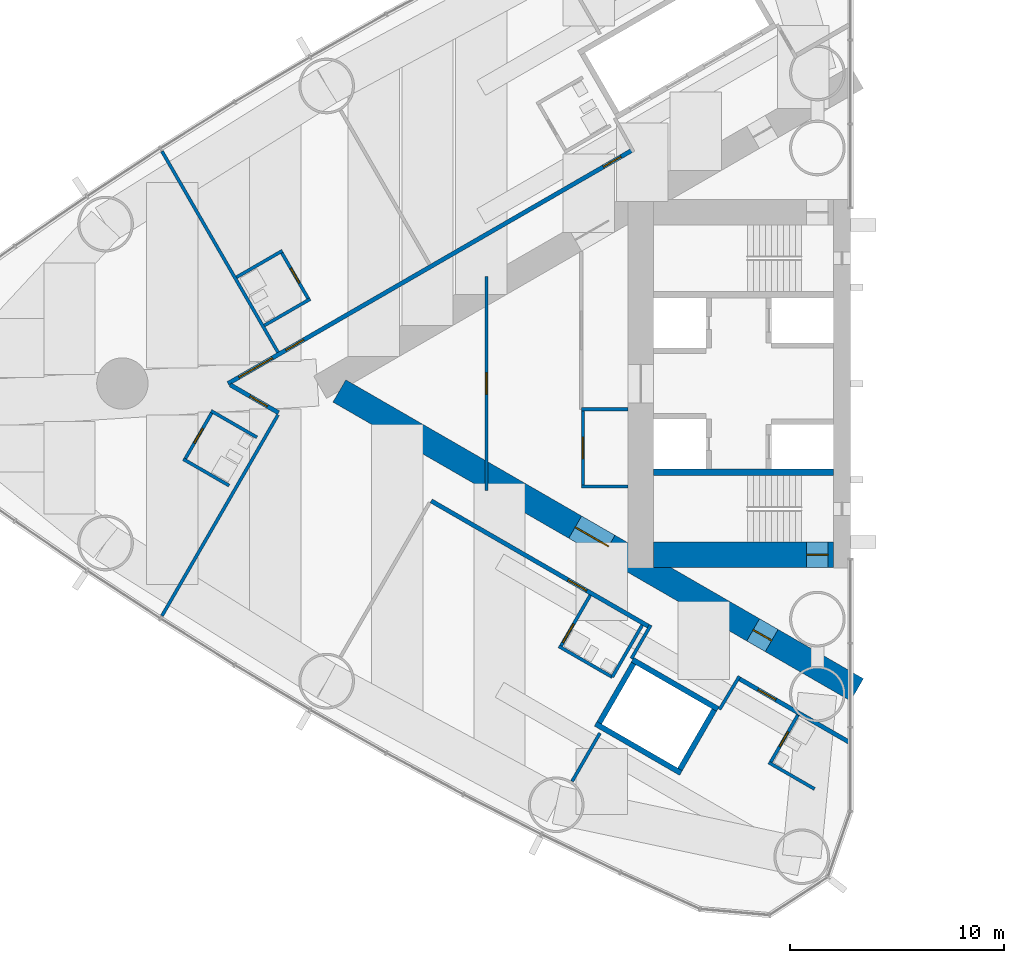
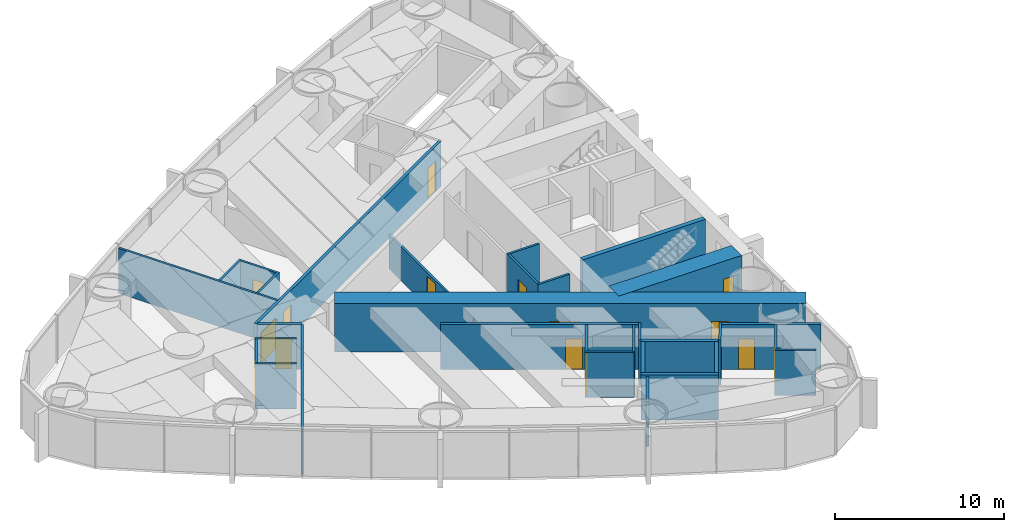
# One storey, part 11 of 19: 31 walls, 15 doors, 15 openings.
"""IFC4 building model written with IfcOpenShell, lengths in metres."""

from ifc_helpers import new_model, si_unit, direction, frame, frame_2d, origin, place, context, subcontext, project, spatial, rectangle, extrude, material, layer, layer_set, type_object, element, fill, save


model = new_model("IFC4")

# Units and contexts
model_context = context("Model", 3, precision=1e-05, world=origin(), true_north=direction((0.0, 1.0)))
body_context = subcontext(model_context, "Body", "Model", "MODEL_VIEW")
ifc_project = project(units=[si_unit("LENGTHUNIT", "METRE"), si_unit("AREAUNIT", "SQUARE_METRE"), si_unit("VOLUMEUNIT", "CUBIC_METRE"), si_unit("PLANEANGLEUNIT", "RADIAN"), si_unit("MASSUNIT", "GRAM", prefix="KILO")], contexts=[model_context])

# Site, building, storey
site_placement = place(None, origin())
site = spatial("IfcSite", under=ifc_project, at=site_placement, CompositionType="ELEMENT")
building_placement = place(site_placement, origin())
building = spatial("IfcBuilding", under=site, at=building_placement, Name="Lancet Gate Hotel", CompositionType="ELEMENT")
storey_placement = place(building_placement, frame((0.0, 0.0, 132.60009765625)))
storey = spatial("IfcBuildingStorey", under=building, at=storey_placement, Name="L35", CompositionType="ELEMENT", Elevation=132.60009765625)

# Wall
ifc_material_1 = material(Name="Moisture resistant board partition")
ifc_layer_1 = layer(ifc_material_1, 0.14990234375)
ifc_layer_set_1 = layer_set([ifc_layer_1], Name="Bathroom wall 150")
wall_type_1 = type_object("IfcWallType", Name="Bathroom wall 150", PredefinedType="PARTITIONING", material=ifc_layer_set_1)
wall_1_placement = place(storey_placement, frame((-54.02734375, 6.201416015625, 0.0), z_axis=(0.0, 0.0, 1.0), x_axis=(-0.866006523861, -0.500032699561, 0.0)))
element("IfcWall", 1, at=wall_1_placement, inside=storey, type_object=wall_type_1, Name="T1 bathroom wall 150 L35", PredefinedType="PARTITIONING", context=body_context, shape_type="SweptSolid", body=[
    extrude(rectangle(XDim=2.474853515625, YDim=0.14990234375, at=frame_2d((1.2373046875, 0.0))), origin(), (0.0, 0.0, 1.0), 3.25),
])

# Wall, opening, door
wall_2_placement = place(storey_placement, frame((-52.792236328125, 3.912109375, 0.0), z_axis=(0.0, 0.0, 1.0), x_axis=(-0.500006934395, 0.866021400173, 0.0)))
wall_2 = element("IfcWall", 2, at=wall_2_placement, inside=storey, type_object=wall_type_1, Name="T1 bathroom wall 150 L35", PredefinedType="PARTITIONING", context=body_context, shape_type="SweptSolid", body=[
    extrude(rectangle(XDim=2.60009765625, YDim=0.14990234375, at=frame_2d((1.300048828125, 0.0))), origin(), (0.0, 0.0, 1.0), 3.25),
])
opening_1_placement = place(wall_2_placement, frame((0.89990234375, 0.0, 0.0)))
opening_1 = element("IfcOpeningElement", 3, at=opening_1_placement, cuts=wall_2, Name="Opening 3503-B", PredefinedType="OPENING", context=body_context, shape_type="SweptSolid", body=[
    extrude(rectangle(XDim=0.800048828125, YDim=2.199951171875, at=frame_2d((0.39990234375, 1.10009765625))), frame((0.0, 0.0849609375, 0.0), z_axis=(0.0, -1.0, 0.0), x_axis=(1.0, 0.0, 0.0)), (0.0, 0.0, 1.0), 0.169921875),
])
ifc_material_2 = material(Name="Timber door set", Category="wood")
door_type_1 = type_object("IfcDoorType", Name="Bathroom door 800", OperationType="SINGLE_SWING_RIGHT", PredefinedType="DOOR", material=ifc_material_2)
door_1_placement = place(opening_1_placement, origin())
door_1 = element("IfcDoor", 4, at=door_1_placement, inside=storey, type_object=door_type_1, Name="3503-B", OperationType="SINGLE_SWING_RIGHT", OverallHeight=2.199951171875, OverallWidth=0.800048828125, PredefinedType="DOOR", context=body_context, shape_type="SweptSolid", body=[
    extrude(rectangle(XDim=0.800048828125, YDim=2.199951171875, at=frame_2d((0.39990234375, 1.10009765625))), frame((0.0, 0.02490234375, 0.0), z_axis=(0.0, -1.0, 0.0), x_axis=(1.0, 0.0, 0.0)), (0.0, 0.0, 1.0), 0.050048828125),
])
fill(opening_1, door_1)

# Walls
wall_3_placement = place(storey_placement, frame((-52.727294921875, 3.94970703125, 0.0), z_axis=(0.0, 0.0, 1.0), x_axis=(-0.866006523861, -0.500032699561, 0.0)))
element("IfcWall", 5, at=wall_3_placement, inside=storey, type_object=wall_type_1, Name="T1 bathroom wall 150 L35", PredefinedType="PARTITIONING", context=body_context, shape_type="SweptSolid", body=[
    extrude(rectangle(XDim=2.474853515625, YDim=0.14990234375, at=frame_2d((1.2373046875, 0.0))), origin(), (0.0, 0.0, 1.0), 3.25),
])
wall_4_placement = place(storey_placement, frame((-56.51708984375, -4.763916015625, 0.0), z_axis=(0.0, 0.0, 1.0), x_axis=(-0.866031185235, 0.4999899861, 0.0)))
element("IfcWall", 6, at=wall_4_placement, inside=storey, type_object=wall_type_1, Name="T1 bathroom wall 150 L35", PredefinedType="PARTITIONING", context=body_context, shape_type="SweptSolid", body=[
    extrude(rectangle(XDim=2.47509765625, YDim=0.14990234375, at=frame_2d((1.237548828125, 0.0))), origin(), (0.0, 0.0, 1.0), 3.25),
])

# Wall, opening, door
wall_5_placement = place(storey_placement, frame((-57.295654296875, -1.312255859375, 0.0), z_axis=(0.0, 0.0, 1.0), x_axis=(-0.49997716683, -0.86603858612, 0.0)))
wall_5 = element("IfcWall", 7, at=wall_5_placement, inside=storey, type_object=wall_type_1, Name="T1 bathroom wall 150 L35", PredefinedType="PARTITIONING", context=body_context, shape_type="SweptSolid", body=[
    extrude(rectangle(XDim=2.599609375, YDim=0.14990234375, at=frame_2d((1.2998046875, 0.0))), origin(), (0.0, 0.0, 1.0), 3.25),
])
opening_2_placement = place(wall_5_placement, frame((0.89990234375, 0.0, 0.0)))
opening_2 = element("IfcOpeningElement", 8, at=opening_2_placement, cuts=wall_5, Name="Opening 3505-B", PredefinedType="OPENING", context=body_context, shape_type="SweptSolid", body=[
    extrude(rectangle(XDim=0.800048828125, YDim=2.199951171875, at=frame_2d((0.39990234375, 1.10009765625))), frame((0.0, 0.0849609375, 0.0), z_axis=(0.0, -1.0, 0.0), x_axis=(1.0, 0.0, 0.0)), (0.0, 0.0, 1.0), 0.169921875),
])
door_2_placement = place(opening_2_placement, origin())
door_2 = element("IfcDoor", 9, at=door_2_placement, inside=storey, type_object=door_type_1, Name="3505-B", OperationType="SINGLE_SWING_RIGHT", OverallHeight=2.199951171875, OverallWidth=0.800048828125, PredefinedType="DOOR", context=body_context, shape_type="SweptSolid", body=[
    extrude(rectangle(XDim=0.800048828125, YDim=2.199951171875, at=frame_2d((0.39990234375, 1.10009765625))), frame((0.0, 0.02490234375, 0.0), z_axis=(0.0, -1.0, 0.0), x_axis=(1.0, 0.0, 0.0)), (0.0, 0.0, 1.0), 0.050048828125),
])
fill(opening_2, door_2)

# Walls
wall_6_placement = place(storey_placement, frame((-55.217041015625, -2.51220703125, 0.0), z_axis=(0.0, 0.0, 1.0), x_axis=(-0.866031185235, 0.4999899861, 0.0)))
element("IfcWall", 10, at=wall_6_placement, inside=storey, type_object=wall_type_1, Name="T1 bathroom wall 150 L35", PredefinedType="PARTITIONING", context=body_context, shape_type="SweptSolid", body=[
    extrude(rectangle(XDim=2.47509765625, YDim=0.14990234375, at=frame_2d((1.237548828125, 0.0))), origin(), (0.0, 0.0, 1.0), 3.25),
])
wall_7_placement = place(storey_placement, frame((-38.630126953125, -13.705322265625, 0.0), z_axis=(0.0, 0.0, 1.0), x_axis=(-0.866018712932, 0.500011588718, 0.0)))
element("IfcWall", 11, at=wall_7_placement, inside=storey, type_object=wall_type_1, Name="T1 bathroom wall 150 L35", PredefinedType="PARTITIONING", context=body_context, shape_type="SweptSolid", body=[
    extrude(rectangle(XDim=2.875, YDim=0.14990234375, at=frame_2d((1.4375, 0.0))), origin(), (0.0, 0.0, 1.0), 3.25),
])

# Wall, opening, door
wall_8_placement = place(storey_placement, frame((-39.65478515625, -9.88037109375, 0.0), z_axis=(0.0, 0.0, 1.0), x_axis=(-0.500049511043, -0.865996816683, 0.0)))
wall_8 = element("IfcWall", 12, at=wall_8_placement, inside=storey, type_object=wall_type_1, Name="T1 bathroom wall 150 L35", PredefinedType="PARTITIONING", context=body_context, shape_type="SweptSolid", body=[
    extrude(rectangle(XDim=2.800048828125, YDim=0.14990234375, at=frame_2d((1.39990234375, 0.0))), origin(), (0.0, 0.0, 1.0), 3.25),
])
opening_3_placement = place(wall_8_placement, frame((1.550048828125, 0.0, 0.0)))
opening_3 = element("IfcOpeningElement", 13, at=opening_3_placement, cuts=wall_8, Name="Opening 3507-B", PredefinedType="OPENING", context=body_context, shape_type="SweptSolid", body=[
    extrude(rectangle(XDim=1.0, YDim=2.199951171875, at=frame_2d((0.5, 1.10009765625))), frame((0.0, 0.0849609375, 0.0), z_axis=(0.0, -1.0, 0.0), x_axis=(1.0, 0.0, 0.0)), (0.0, 0.0, 1.0), 0.169921875),
])
ifc_material_3 = material(Name="Timber door set", Category="wood")
door_type_2 = type_object("IfcDoorType", Name="Accessible en-suite door 1000", OperationType="SINGLE_SWING_RIGHT", PredefinedType="DOOR", material=ifc_material_3)
door_3_placement = place(opening_3_placement, origin())
door_3 = element("IfcDoor", 14, at=door_3_placement, inside=storey, type_object=door_type_2, Name="3507-B", OperationType="SINGLE_SWING_RIGHT", OverallHeight=2.199951171875, OverallWidth=1.0, PredefinedType="DOOR", context=body_context, shape_type="SweptSolid", body=[
    extrude(rectangle(XDim=1.0, YDim=2.199951171875, at=frame_2d((0.5, 1.10009765625))), frame((0.0, 0.02490234375, 0.0), z_axis=(0.0, -1.0, 0.0), x_axis=(1.0, 0.0, 0.0)), (0.0, 0.0, 1.0), 0.050048828125),
])
fill(opening_3, door_3)

# Walls
wall_9_placement = place(storey_placement, frame((-37.22998046875, -11.280517578125, 0.0), z_axis=(0.0, 0.0, 1.0), x_axis=(-0.500049511043, -0.865996816683, 0.0)))
element("IfcWall", 15, at=wall_9_placement, inside=storey, type_object=wall_type_1, Name="T1 bathroom wall 150 L35", PredefinedType="PARTITIONING", context=body_context, shape_type="SweptSolid", body=[
    extrude(rectangle(XDim=2.800048828125, YDim=0.14990234375, at=frame_2d((1.39990234375, 0.0))), origin(), (0.0, 0.0, 1.0), 3.25),
])
wall_10_placement = place(storey_placement, frame((-29.181884765625, -18.92919921875, 0.0), z_axis=(0.0, 0.0, 1.0), x_axis=(-0.866006523861, 0.500032699561, 0.0)))
element("IfcWall", 16, at=wall_10_placement, inside=storey, type_object=wall_type_1, Name="T1 bathroom wall 150 L35", PredefinedType="PARTITIONING", context=body_context, shape_type="SweptSolid", body=[
    extrude(rectangle(XDim=2.474853515625, YDim=0.14990234375, at=frame_2d((1.2373046875, 0.0))), origin(), (0.0, 0.0, 1.0), 3.25),
])

# Wall, opening, door
wall_11_placement = place(storey_placement, frame((-29.960205078125, -15.4775390625, 0.0), z_axis=(0.0, 0.0, 1.0), x_axis=(-0.500006934395, -0.866021400173, 0.0)))
wall_11 = element("IfcWall", 17, at=wall_11_placement, inside=storey, type_object=wall_type_1, Name="T1 bathroom wall 150 L35", PredefinedType="PARTITIONING", context=body_context, shape_type="SweptSolid", body=[
    extrude(rectangle(XDim=2.60009765625, YDim=0.14990234375, at=frame_2d((1.300048828125, 0.0))), origin(), (0.0, 0.0, 1.0), 3.25),
])
opening_4_placement = place(wall_11_placement, frame((0.89990234375, 0.0, 0.0)))
opening_4 = element("IfcOpeningElement", 18, at=opening_4_placement, cuts=wall_11, Name="Opening 3508-B", PredefinedType="OPENING", context=body_context, shape_type="SweptSolid", body=[
    extrude(rectangle(XDim=0.800048828125, YDim=2.199951171875, at=frame_2d((0.39990234375, 1.10009765625))), frame((0.0, 0.0849609375, 0.0), z_axis=(0.0, -1.0, 0.0), x_axis=(1.0, 0.0, 0.0)), (0.0, 0.0, 1.0), 0.169921875),
])
door_4_placement = place(opening_4_placement, origin())
door_4 = element("IfcDoor", 19, at=door_4_placement, inside=storey, type_object=door_type_1, Name="3508-B", OperationType="SINGLE_SWING_RIGHT", OverallHeight=2.199951171875, OverallWidth=0.800048828125, PredefinedType="DOOR", context=body_context, shape_type="SweptSolid", body=[
    extrude(rectangle(XDim=0.800048828125, YDim=2.199951171875, at=frame_2d((0.39990234375, 1.10009765625))), frame((0.0, 0.02490234375, 0.0), z_axis=(0.0, -1.0, 0.0), x_axis=(1.0, 0.0, 0.0)), (0.0, 0.0, 1.0), 0.050048828125),
])
fill(opening_4, door_4)

# Wall, openings, doors
ifc_material_4 = material(Name="Concrete C70/85", Category="concrete")
ifc_layer_2 = layer(ifc_material_4, 1.199951171875)
ifc_layer_set_2 = layer_set([ifc_layer_2], Name="Buttress wall 1200")
wall_type_2 = type_object("IfcWallType", Name="Buttress wall 1200", PredefinedType="SHEAR", material=ifc_layer_set_2)
wall_12_placement = place(storey_placement, frame((-27.199951171875, -14.300048828125, 0.0), z_axis=(0.0, 0.0, 1.0), x_axis=(-0.866024021859, 0.500002393557, 0.0)))
wall_12 = element("IfcWall", 20, at=wall_12_placement, inside=storey, type_object=wall_type_2, Name="T1 buttress wall N L35", PredefinedType="SHEAR", context=body_context, shape_type="SweptSolid", body=[
    extrude(rectangle(XDim=27.906982421875, YDim=1.199951171875, at=frame_2d((13.95361328125, 0.0))), origin(), (0.0, 0.0, 1.0), 3.5),
])
opening_5_placement = place(wall_12_placement, frame((4.60009765625, 0.0, 0.0)))
opening_5 = element("IfcOpeningElement", 21, at=opening_5_placement, cuts=wall_12, Name="Opening T1-L35-LN", PredefinedType="OPENING", context=body_context, shape_type="SweptSolid", body=[
    extrude(rectangle(XDim=1.0, YDim=2.199951171875, at=frame_2d((0.5, 1.10009765625))), frame((0.0, 0.60986328125, 0.0), z_axis=(0.0, -1.0, 0.0), x_axis=(1.0, 0.0, 0.0)), (0.0, 0.0, 1.0), 1.219970703125),
])
opening_6_placement = place(wall_12_placement, frame((13.39453125, 0.0, 0.0)))
opening_6 = element("IfcOpeningElement", 22, at=opening_6_placement, cuts=wall_12, Name="Opening T1-L35-LHN", PredefinedType="OPENING", context=body_context, shape_type="SweptSolid", body=[
    extrude(rectangle(XDim=1.800048828125, YDim=2.199951171875, at=frame_2d((0.89990234375, 1.10009765625))), frame((0.0, 0.60986328125, 0.0), z_axis=(0.0, -1.0, 0.0), x_axis=(1.0, 0.0, 0.0)), (0.0, 0.0, 1.0), 1.219970703125),
])
ifc_material_5 = material(Name="Timber door set", Category="wood")
door_type_3 = type_object("IfcDoorType", Name="Lobby double door 1800", OperationType="DOUBLE_DOOR_SINGLE_SWING", PredefinedType="DOOR", material=ifc_material_5)
door_5_placement = place(opening_6_placement, origin())
door_5 = element("IfcDoor", 23, at=door_5_placement, inside=storey, type_object=door_type_3, Name="T1-L35-LHN", OperationType="DOUBLE_DOOR_SINGLE_SWING", OverallHeight=2.199951171875, OverallWidth=1.800048828125, PredefinedType="DOOR", context=body_context, shape_type="SweptSolid", body=[
    extrude(rectangle(XDim=1.800048828125, YDim=2.199951171875, at=frame_2d((0.89990234375, 1.10009765625))), frame((0.0, 0.02490234375, 0.0), z_axis=(0.0, -1.0, 0.0), x_axis=(1.0, 0.0, 0.0)), (0.0, 0.0, 1.0), 0.050048828125),
])
fill(opening_6, door_5)
ifc_material_6 = material(Name="Timber door set", Category="wood")
door_type_4 = type_object("IfcDoorType", Name="Stair lobby door 1000", OperationType="SINGLE_SWING_LEFT", PredefinedType="DOOR", material=ifc_material_6)
door_6_placement = place(opening_5_placement, origin())
door_6 = element("IfcDoor", 24, at=door_6_placement, inside=storey, type_object=door_type_4, Name="T1-L35-LN", OperationType="SINGLE_SWING_LEFT", OverallHeight=2.199951171875, OverallWidth=1.0, PredefinedType="DOOR", context=body_context, shape_type="SweptSolid", body=[
    extrude(rectangle(XDim=1.0, YDim=2.199951171875, at=frame_2d((0.5, 1.10009765625))), frame((0.0, 0.02490234375, 0.0), z_axis=(0.0, -1.0, 0.0), x_axis=(1.0, 0.0, 0.0)), (0.0, 0.0, 1.0), 0.050048828125),
])
fill(opening_5, door_6)

# Wall, opening, door
ifc_material_7 = material(Name="Concrete C70/85", Category="concrete")
ifc_layer_3 = layer(ifc_material_7, 1.199951171875)
ifc_layer_set_3 = layer_set([ifc_layer_3], Name="Core wall 1200")
wall_type_3 = type_object("IfcWallType", Name="Core wall 1200", PredefinedType="SHEAR", material=ifc_layer_set_3)
wall_13_placement = place(storey_placement, frame((-28.300048828125, -8.0, 0.0), z_axis=(0.0, 0.0, 1.0), x_axis=(-1.0, 0.0, 0.0)))
wall_13 = element("IfcWall", 25, at=wall_13_placement, inside=storey, type_object=wall_type_3, Name="T1 core wall side-N L35", PredefinedType="SHEAR", context=body_context, shape_type="SweptSolid", body=[
    extrude(rectangle(XDim=8.39990234375, YDim=1.199951171875, at=frame_2d((4.199951171875, 0.0))), origin(), (0.0, 0.0, 1.0), 3.5),
])
opening_7_placement = place(wall_13_placement, frame((0.25, 0.0, 0.0)))
opening_7 = element("IfcOpeningElement", 26, at=opening_7_placement, cuts=wall_13, Name="Opening T1-L35-ST2", PredefinedType="OPENING", context=body_context, shape_type="SweptSolid", body=[
    extrude(rectangle(XDim=1.0, YDim=2.199951171875, at=frame_2d((0.5, 1.10009765625))), frame((0.0, 0.60986328125, 0.0), z_axis=(0.0, -1.0, 0.0), x_axis=(1.0, 0.0, 0.0)), (0.0, 0.0, 1.0), 1.219970703125),
])
ifc_material_8 = material(Name="Timber door set", Category="wood")
door_type_5 = type_object("IfcDoorType", Name="Stair door 1000", OperationType="SINGLE_SWING_RIGHT", PredefinedType="DOOR", material=ifc_material_8)
door_7_placement = place(opening_7_placement, origin())
door_7 = element("IfcDoor", 27, at=door_7_placement, inside=storey, type_object=door_type_5, Name="T1-L35-ST2", OperationType="SINGLE_SWING_RIGHT", OverallHeight=2.199951171875, OverallWidth=1.0, PredefinedType="DOOR", context=body_context, shape_type="SweptSolid", body=[
    extrude(rectangle(XDim=1.0, YDim=2.199951171875, at=frame_2d((0.5, 1.10009765625))), frame((0.0, 0.02490234375, 0.0), z_axis=(0.0, -1.0, 0.0), x_axis=(1.0, 0.0, 0.0)), (0.0, 0.0, 1.0), 0.050048828125),
])
fill(opening_7, door_7)

# Wall, openings, doors
ifc_material_9 = material(Name="Gypsum board partition")
ifc_layer_4 = layer(ifc_material_9, 0.199951171875)
ifc_layer_set_4 = layer_set([ifc_layer_4], Name="Corridor wall 200")
wall_type_4 = type_object("IfcWallType", Name="Corridor wall 200", PredefinedType="PARTITIONING", material=ifc_layer_set_4)
wall_14_placement = place(storey_placement, frame((-37.699951171875, 10.8935546875, 0.0), z_axis=(0.0, 0.0, 1.0), x_axis=(-0.866027905338, -0.499995667157, 0.0)))
wall_14 = element("IfcWall", 28, at=wall_14_placement, inside=storey, type_object=wall_type_4, Name="T1 corridor wall 200 L35", PredefinedType="PARTITIONING", context=body_context, shape_type="SweptSolid", body=[
    extrude(rectangle(XDim=21.787353515625, YDim=0.199951171875, at=frame_2d((10.8935546875, 0.0))), origin(), (0.0, 0.0, 1.0), 3.25),
])
opening_8_placement = place(wall_14_placement, frame((17.7109375, 0.0, 0.0)))
opening_8 = element("IfcOpeningElement", 29, at=opening_8_placement, cuts=wall_14, Name="Opening 3503-E", PredefinedType="OPENING", context=body_context, shape_type="SweptSolid", body=[
    extrude(rectangle(XDim=0.949951171875, YDim=2.199951171875, at=frame_2d((0.47509765625, 1.10009765625))), frame((0.0, 0.10986328125, 0.0), z_axis=(0.0, -1.0, 0.0), x_axis=(1.0, 0.0, 0.0)), (0.0, 0.0, 1.0), 0.219970703125),
])
opening_9_placement = place(wall_14_placement, frame((19.39892578125, 0.0, 0.0)))
opening_9 = element("IfcOpeningElement", 30, at=opening_9_placement, cuts=wall_14, Name="Opening 3504-E", PredefinedType="OPENING", context=body_context, shape_type="SweptSolid", body=[
    extrude(rectangle(XDim=1.800048828125, YDim=2.199951171875, at=frame_2d((0.89990234375, 1.10009765625))), frame((0.0, 0.10986328125, 0.0), z_axis=(0.0, -1.0, 0.0), x_axis=(1.0, 0.0, 0.0)), (0.0, 0.0, 1.0), 0.219970703125),
])
opening_10_placement = place(wall_14_placement, frame((0.60009765625, 0.0, 0.0)))
opening_10 = element("IfcOpeningElement", 31, at=opening_10_placement, cuts=wall_14, Name="Opening 3502-E", PredefinedType="OPENING", context=body_context, shape_type="SweptSolid", body=[
    extrude(rectangle(XDim=0.949951171875, YDim=2.199951171875, at=frame_2d((0.47509765625, 1.10009765625))), frame((0.0, 0.10986328125, 0.0), z_axis=(0.0, -1.0, 0.0), x_axis=(1.0, 0.0, 0.0)), (0.0, 0.0, 1.0), 0.219970703125),
])
ifc_material_10 = material(Name="Timber door set", Category="wood")
door_type_6 = type_object("IfcDoorType", Name="Double door 1800", OperationType="DOUBLE_DOOR_SINGLE_SWING", PredefinedType="DOOR", material=ifc_material_10)
door_8_placement = place(opening_9_placement, origin())
door_8 = element("IfcDoor", 32, at=door_8_placement, inside=storey, type_object=door_type_6, Name="3504-E", OperationType="DOUBLE_DOOR_SINGLE_SWING", OverallHeight=2.199951171875, OverallWidth=1.800048828125, PredefinedType="DOOR", context=body_context, shape_type="SweptSolid", body=[
    extrude(rectangle(XDim=1.800048828125, YDim=2.199951171875, at=frame_2d((0.89990234375, 1.10009765625))), frame((0.0, 0.02490234375, 0.0), z_axis=(0.0, -1.0, 0.0), x_axis=(1.0, 0.0, 0.0)), (0.0, 0.0, 1.0), 0.050048828125),
])
fill(opening_9, door_8)
ifc_material_11 = material(Name="Timber door set", Category="wood")
door_type_7 = type_object("IfcDoorType", Name="Guest room entry door 950", OperationType="SINGLE_SWING_LEFT", PredefinedType="DOOR", material=ifc_material_11)
door_9_placement = place(opening_8_placement, origin())
door_9 = element("IfcDoor", 33, at=door_9_placement, inside=storey, type_object=door_type_7, Name="3503-E", OperationType="SINGLE_SWING_LEFT", OverallHeight=2.199951171875, OverallWidth=0.949951171875, PredefinedType="DOOR", context=body_context, shape_type="SweptSolid", body=[
    extrude(rectangle(XDim=0.949951171875, YDim=2.199951171875, at=frame_2d((0.47509765625, 1.10009765625))), frame((0.0, 0.02490234375, 0.0), z_axis=(0.0, -1.0, 0.0), x_axis=(1.0, 0.0, 0.0)), (0.0, 0.0, 1.0), 0.050048828125),
])
fill(opening_8, door_9)
door_10_placement = place(opening_10_placement, origin())
door_10 = element("IfcDoor", 34, at=door_10_placement, inside=storey, type_object=door_type_7, Name="3502-E", OperationType="SINGLE_SWING_LEFT", OverallHeight=2.199951171875, OverallWidth=0.949951171875, PredefinedType="DOOR", context=body_context, shape_type="SweptSolid", body=[
    extrude(rectangle(XDim=0.949951171875, YDim=2.199951171875, at=frame_2d((0.47509765625, 1.10009765625))), frame((0.0, 0.02490234375, 0.0), z_axis=(0.0, -1.0, 0.0), x_axis=(1.0, 0.0, 0.0)), (0.0, 0.0, 1.0), 0.050048828125),
])
fill(opening_10, door_10)

# Wall, opening, door
wall_15_placement = place(storey_placement, frame((-27.572021484375, -16.740966796875, 0.0), z_axis=(0.0, 0.0, 1.0), x_axis=(-0.866024464444, 0.500001626982, 0.0)))
wall_15 = element("IfcWall", 35, at=wall_15_placement, inside=storey, type_object=wall_type_4, Name="T1 corridor wall 200 L35", PredefinedType="PARTITIONING", context=body_context, shape_type="SweptSolid", body=[
    extrude(rectangle(XDim=5.955078125, YDim=0.199951171875, at=frame_2d((2.9775390625, 0.0))), origin(), (0.0, 0.0, 1.0), 3.25),
])
opening_11_placement = place(wall_15_placement, frame((3.949951171875, 0.0, 0.0)))
opening_11 = element("IfcOpeningElement", 36, at=opening_11_placement, cuts=wall_15, Name="Opening 3508-E", PredefinedType="OPENING", context=body_context, shape_type="SweptSolid", body=[
    extrude(rectangle(XDim=0.949951171875, YDim=2.199951171875, at=frame_2d((0.47509765625, 1.10009765625))), frame((0.0, 0.10986328125, 0.0), z_axis=(0.0, -1.0, 0.0), x_axis=(1.0, 0.0, 0.0)), (0.0, 0.0, 1.0), 0.219970703125),
])
door_11_placement = place(opening_11_placement, origin())
door_11 = element("IfcDoor", 37, at=door_11_placement, inside=storey, type_object=door_type_7, Name="3508-E", OperationType="SINGLE_SWING_LEFT", OverallHeight=2.199951171875, OverallWidth=0.949951171875, PredefinedType="DOOR", context=body_context, shape_type="SweptSolid", body=[
    extrude(rectangle(XDim=0.949951171875, YDim=2.199951171875, at=frame_2d((0.47509765625, 1.10009765625))), frame((0.0, 0.02490234375, 0.0), z_axis=(0.0, -1.0, 0.0), x_axis=(1.0, 0.0, 0.0)), (0.0, 0.0, 1.0), 0.050048828125),
])
fill(opening_11, door_11)

wall_16_placement = place(storey_placement, frame((-36.920166015625, -11.34375, 0.0), z_axis=(0.0, 0.0, 1.0), x_axis=(-0.866027897759, 0.499995680284, 0.0)))
wall_16 = element("IfcWall", 38, at=wall_16_placement, inside=storey, type_object=wall_type_4, Name="T1 corridor wall 200 L35", PredefinedType="PARTITIONING", context=body_context, shape_type="SweptSolid", body=[
    extrude(rectangle(XDim=11.73095703125, YDim=0.199951171875, at=frame_2d((5.865478515625, 0.0))), origin(), (0.0, 0.0, 1.0), 3.25),
])
opening_12_placement = place(wall_16_placement, frame((3.35009765625, 0.0, 0.0)))
opening_12 = element("IfcOpeningElement", 39, at=opening_12_placement, cuts=wall_16, Name="Opening 3507-E", PredefinedType="OPENING", context=body_context, shape_type="SweptSolid", body=[
    extrude(rectangle(XDim=1.0, YDim=2.199951171875, at=frame_2d((0.5, 1.10009765625))), frame((0.0, 0.10986328125, 0.0), z_axis=(0.0, -1.0, 0.0), x_axis=(1.0, 0.0, 0.0)), (0.0, 0.0, 1.0), 0.219970703125),
])
ifc_material_12 = material(Name="Timber door set", Category="wood")
door_type_8 = type_object("IfcDoorType", Name="Accessible guest room door 1000", OperationType="SINGLE_SWING_LEFT", PredefinedType="DOOR", material=ifc_material_12)
door_12_placement = place(opening_12_placement, origin())
door_12 = element("IfcDoor", 40, at=door_12_placement, inside=storey, type_object=door_type_8, Name="3507-E", OperationType="SINGLE_SWING_LEFT", OverallHeight=2.199951171875, OverallWidth=1.0, PredefinedType="DOOR", context=body_context, shape_type="SweptSolid", body=[
    extrude(rectangle(XDim=1.0, YDim=2.199951171875, at=frame_2d((0.5, 1.10009765625))), frame((0.0, 0.02490234375, 0.0), z_axis=(0.0, -1.0, 0.0), x_axis=(1.0, 0.0, 0.0)), (0.0, 0.0, 1.0), 0.050048828125),
])
fill(opening_12, door_12)

wall_17_placement = place(storey_placement, frame((-54.207275390625, -1.363037109375, 0.0), z_axis=(0.0, 0.0, 1.0), x_axis=(-0.866049872286, 0.499957616916, 0.0)))
wall_17 = element("IfcWall", 41, at=wall_17_placement, inside=storey, type_object=wall_type_4, Name="T1 corridor wall 200 L35", PredefinedType="PARTITIONING", context=body_context, shape_type="SweptSolid", body=[
    extrude(rectangle(XDim=2.606201171875, YDim=0.199951171875, at=frame_2d((1.30322265625, 0.0))), origin(), (0.0, 0.0, 1.0), 3.25),
])
opening_13_placement = place(wall_17_placement, frame((0.60009765625, 0.0, 0.0)))
opening_13 = element("IfcOpeningElement", 42, at=opening_13_placement, cuts=wall_17, Name="Opening 3505-E", PredefinedType="OPENING", context=body_context, shape_type="SweptSolid", body=[
    extrude(rectangle(XDim=0.949951171875, YDim=2.199951171875, at=frame_2d((0.47509765625, 1.10009765625))), frame((0.0, 0.10986328125, 0.0), z_axis=(0.0, -1.0, 0.0), x_axis=(1.0, 0.0, 0.0)), (0.0, 0.0, 1.0), 0.219970703125),
])
door_13_placement = place(opening_13_placement, origin())
door_13 = element("IfcDoor", 43, at=door_13_placement, inside=storey, type_object=door_type_7, Name="3505-E", OperationType="SINGLE_SWING_LEFT", OverallHeight=2.199951171875, OverallWidth=0.949951171875, PredefinedType="DOOR", context=body_context, shape_type="SweptSolid", body=[
    extrude(rectangle(XDim=0.949951171875, YDim=2.199951171875, at=frame_2d((0.47509765625, 1.10009765625))), frame((0.0, 0.02490234375, 0.0), z_axis=(0.0, -1.0, 0.0), x_axis=(1.0, 0.0, 0.0)), (0.0, 0.0, 1.0), 0.050048828125),
])
fill(opening_13, door_13)

# Walls
ifc_material_13 = material(Name="Gypsum board partition")
ifc_layer_5 = layer(ifc_material_13, 0.25)
ifc_layer_set_5 = layer_set([ifc_layer_5], Name="Lift shaft partition 250")
wall_type_5 = type_object("IfcWallType", Name="Lift shaft partition 250", PredefinedType="PARTITIONING", material=ifc_layer_set_5)
wall_18_placement = place(storey_placement, frame((-33.695556640625, -15.197265625, 0.0), z_axis=(0.0, 0.0, 1.0), x_axis=(-0.865976953817, 0.500083908417, 0.0)))
element("IfcWall", 44, at=wall_18_placement, inside=storey, type_object=wall_type_5, Name="T1 lift shaft wall EX L35", PredefinedType="PARTITIONING", context=body_context, shape_type="SweptSolid", body=[
    extrude(rectangle(XDim=4.599365234375, YDim=0.25, at=frame_2d((2.2998046875, 0.0))), origin(), (0.0, 0.0, 1.0), 3.25),
])
wall_19_placement = place(storey_placement, frame((-35.42041015625, -18.185791015625, 0.0), z_axis=(0.0, 0.0, 1.0), x_axis=(-0.865990227814, 0.50006092162, 0.0)))
element("IfcWall", 45, at=wall_19_placement, inside=storey, type_object=wall_type_5, Name="T1 lift shaft wall EX L35", PredefinedType="PARTITIONING", context=body_context, shape_type="SweptSolid", body=[
    extrude(rectangle(XDim=4.599609375, YDim=0.25, at=frame_2d((2.2998046875, 0.0))), origin(), (0.0, 0.0, 1.0), 3.25),
])
wall_20_placement = place(storey_placement, frame((-33.8662109375, -15.242919921875, 0.0), z_axis=(0.0, 0.0, 1.0), x_axis=(-0.499929347863, -0.866066190972, 0.0)))
element("IfcWall", 46, at=wall_20_placement, inside=storey, type_object=wall_type_5, Name="T1 lift shaft wall EX L35", PredefinedType="PARTITIONING", context=body_context, shape_type="SweptSolid", body=[
    extrude(rectangle(XDim=3.20068359375, YDim=0.25, at=frame_2d((1.600341796875, 0.0))), origin(), (0.0, 0.0, 1.0), 3.25),
])
wall_21_placement = place(storey_placement, frame((-37.6328125, -13.068115234375, 0.0), z_axis=(0.0, 0.0, 1.0), x_axis=(-0.499872130319, -0.866099216793, 0.0)))
element("IfcWall", 47, at=wall_21_placement, inside=storey, type_object=wall_type_5, Name="T1 lift shaft wall EX L35", PredefinedType="PARTITIONING", context=body_context, shape_type="SweptSolid", body=[
    extrude(rectangle(XDim=3.200439453125, YDim=0.25, at=frame_2d((1.60009765625, 0.0))), origin(), (0.0, 0.0, 1.0), 3.25),
])
ifc_material_14 = material(Name="Gypsum board partition")
ifc_layer_6 = layer(ifc_material_14, 0.14990234375)
ifc_layer_set_6 = layer_set([ifc_layer_6], Name="Party wall 150")
wall_type_6 = type_object("IfcWallType", Name="Party wall 150", PredefinedType="PARTITIONING", material=ifc_layer_set_6)
for number, where, z_axis, x_axis, name in (
    (48, (-54.235595703125, 1.462158203125, 0.0), (0.0, 0.0, 1.0), (-0.499990351854, 0.866030974073, 0.0), "T1 party wall 150 L35"),
    (49, (-54.235595703125, -1.462158203125, 0.0), (0.0, 0.0, 1.0), (-0.499990351854, -0.866030974073, 0.0), "T1 party wall 150 L35"),
):
    element("IfcWall", number, at=place(storey_placement, frame(where, z_axis=z_axis, x_axis=x_axis)), inside=storey, type_object=wall_type_6, Name=name, PredefinedType="PARTITIONING", context=body_context, shape_type="SweptSolid", body=[
        extrude(rectangle(XDim=10.833740234375, YDim=0.14990234375, at=frame_2d((5.4169921875, 0.0))), origin(), (0.0, 0.0, 1.0), 3.25),
    ])
wall_22_placement = place(storey_placement, frame((-39.2021484375, -16.319580078125, 0.0), z_axis=(0.0, 0.0, 1.0), x_axis=(-0.49997716683, -0.86603858612, 0.0)))
element("IfcWall", 50, at=wall_22_placement, inside=storey, type_object=wall_type_6, Name="T1 party wall 150 L35", PredefinedType="PARTITIONING", context=body_context, shape_type="SweptSolid", body=[
    extrude(rectangle(XDim=2.599609375, YDim=0.14990234375, at=frame_2d((1.2998046875, 0.0))), origin(), (0.0, 0.0, 1.0), 3.25),
])
ifc_material_15 = material(Name="Gypsum board partition")
ifc_layer_7 = layer(ifc_material_15, 0.14990234375)
ifc_layer_set_7 = layer_set([ifc_layer_7], Name="Service room wall 150")
wall_type_7 = type_object("IfcWallType", Name="Service room wall 150", PredefinedType="PARTITIONING", material=ifc_layer_set_7)
wall_23_placement = place(storey_placement, frame((-36.831298828125, -11.27978515625, 0.0), z_axis=(0.0, 0.0, 1.0), x_axis=(-0.499937177781, -0.866061671171, 0.0)))
element("IfcWall", 51, at=wall_23_placement, inside=storey, type_object=wall_type_7, Name="T1 service room wall 150 L35", PredefinedType="PARTITIONING", context=body_context, shape_type="SweptSolid", body=[
    extrude(rectangle(XDim=1.804443359375, YDim=0.14990234375, at=frame_2d((0.90234375, 0.0))), origin(), (0.0, 0.0, 1.0), 3.25),
])
wall_24_placement = place(storey_placement, frame((-33.62060546875, -15.217529296875, 0.0), z_axis=(0.0, 0.0, 1.0), x_axis=(0.514336634837, 0.857588377991, 0.0)))
element("IfcWall", 52, at=wall_24_placement, inside=storey, type_object=wall_type_7, Name="T1 service room wall 150 L35", PredefinedType="PARTITIONING", context=body_context, shape_type="SweptSolid", body=[
    extrude(rectangle(XDim=1.80517578125, YDim=0.14990234375, at=frame_2d((0.902587890625, 0.0))), origin(), (0.0, 0.0, 1.0), 3.25),
])
for number, where, z_axis, x_axis, name in (
    (53, (-37.89990234375, -1.199951171875, 0.0), (0.0, 0.0, 1.0), (-1.0, 0.0, 0.0), "T1 service room wall 150 L35"),
    (54, (-37.89990234375, -4.800048828125, 0.0), (0.0, 0.0, 1.0), (-1.0, 0.0, 0.0), "T1 service room wall 150 L35"),
):
    element("IfcWall", number, at=place(storey_placement, frame(where, z_axis=z_axis, x_axis=x_axis)), inside=storey, type_object=wall_type_7, Name=name, PredefinedType="PARTITIONING", context=body_context, shape_type="SweptSolid", body=[
        extrude(rectangle(XDim=2.175048828125, YDim=0.14990234375, at=frame_2d((1.08740234375, 0.0))), origin(), (0.0, 0.0, 1.0), 3.25),
    ])

# Wall, opening, door
wall_25_placement = place(storey_placement, frame((-40.0, -1.125, 0.0), z_axis=(0.0, 0.0, 1.0), x_axis=(0.0, -1.0, 0.0)))
wall_25 = element("IfcWall", 55, at=wall_25_placement, inside=storey, type_object=wall_type_7, Name="T1 service room wall 150 L35", PredefinedType="PARTITIONING", context=body_context, shape_type="SweptSolid", body=[
    extrude(rectangle(XDim=3.75, YDim=0.14990234375, at=frame_2d((1.875, 0.0))), origin(), (0.0, 0.0, 1.0), 3.25),
])
opening_14_placement = place(wall_25_placement, frame((1.375, 0.0, 0.0)))
opening_14 = element("IfcOpeningElement", 56, at=opening_14_placement, cuts=wall_25, Name="Opening T1-L35-HRN0", PredefinedType="OPENING", context=body_context, shape_type="SweptSolid", body=[
    extrude(rectangle(XDim=1.0, YDim=2.199951171875, at=frame_2d((0.5, 1.10009765625))), frame((0.0, 0.0849609375, 0.0), z_axis=(0.0, -1.0, 0.0), x_axis=(1.0, 0.0, 0.0)), (0.0, 0.0, 1.0), 0.169921875),
])
ifc_material_16 = material(Name="Timber door set", Category="wood")
door_type_9 = type_object("IfcDoorType", Name="Service door 1000", OperationType="SINGLE_SWING_LEFT", PredefinedType="DOOR", material=ifc_material_16)
door_14_placement = place(opening_14_placement, origin())
door_14 = element("IfcDoor", 57, at=door_14_placement, inside=storey, type_object=door_type_9, Name="T1-L35-HRN0", OperationType="SINGLE_SWING_LEFT", OverallHeight=2.199951171875, OverallWidth=1.0, PredefinedType="DOOR", context=body_context, shape_type="SweptSolid", body=[
    extrude(rectangle(XDim=1.0, YDim=2.199951171875, at=frame_2d((0.5, 1.10009765625))), frame((0.0, 0.02490234375, 0.0), z_axis=(0.0, -1.0, 0.0), x_axis=(1.0, 0.0, 0.0)), (0.0, 0.0, 1.0), 0.050048828125),
])
fill(opening_14, door_14)

wall_26_placement = place(storey_placement, frame((-44.5, 5.004638671875, 0.0), z_axis=(0.0, 0.0, 1.0), x_axis=(0.0, -1.0, 0.0)))
wall_26 = element("IfcWall", 58, at=wall_26_placement, inside=storey, type_object=wall_type_7, Name="T1 service room wall 150 L35", PredefinedType="PARTITIONING", context=body_context, shape_type="SweptSolid", body=[
    extrude(rectangle(XDim=10.00927734375, YDim=0.14990234375, at=frame_2d((5.004638671875, 0.0))), origin(), (0.0, 0.0, 1.0), 2.449951171875),
])
opening_15_placement = place(wall_26_placement, frame((4.504638671875, 0.0, 0.0)))
opening_15 = element("IfcOpeningElement", 59, at=opening_15_placement, cuts=wall_26, Name="Opening T1-L35-SV", PredefinedType="OPENING", context=body_context, shape_type="SweptSolid", body=[
    extrude(rectangle(XDim=1.0, YDim=2.199951171875, at=frame_2d((0.5, 1.10009765625))), frame((0.0, 0.0849609375, 0.0), z_axis=(0.0, -1.0, 0.0), x_axis=(1.0, 0.0, 0.0)), (0.0, 0.0, 1.0), 0.169921875),
])
door_15_placement = place(opening_15_placement, origin())
door_15 = element("IfcDoor", 60, at=door_15_placement, inside=storey, type_object=door_type_9, Name="T1-L35-SV", OperationType="SINGLE_SWING_LEFT", OverallHeight=2.199951171875, OverallWidth=1.0, PredefinedType="DOOR", context=body_context, shape_type="SweptSolid", body=[
    extrude(rectangle(XDim=1.0, YDim=2.199951171875, at=frame_2d((0.5, 1.10009765625))), frame((0.0, 0.02490234375, 0.0), z_axis=(0.0, -1.0, 0.0), x_axis=(1.0, 0.0, 0.0)), (0.0, 0.0, 1.0), 0.050048828125),
])
fill(opening_15, door_15)

# Wall
ifc_material_17 = material(Name="Concrete C50/60", Category="concrete")
ifc_layer_8 = layer(ifc_material_17, 0.300048828125)
ifc_layer_set_8 = layer_set([ifc_layer_8], Name="Stair enclosure wall 300")
wall_type_8 = type_object("IfcWallType", Name="Stair enclosure wall 300", PredefinedType="SHEAR", material=ifc_layer_set_8)
wall_27_placement = place(storey_placement, frame((-28.300048828125, -4.14990234375, 0.0), z_axis=(0.0, 0.0, 1.0), x_axis=(-1.0, 0.0, 0.0)))
element("IfcWall", 61, at=wall_27_placement, inside=storey, type_object=wall_type_8, Name="T1 core wall stair-N L35", PredefinedType="SHEAR", context=body_context, shape_type="SweptSolid", body=[
    extrude(rectangle(XDim=8.39990234375, YDim=0.300048828125, at=frame_2d((4.199951171875, 0.0))), origin(), (0.0, 0.0, 1.0), 3.5),
])

save(model, "model.ifc")
